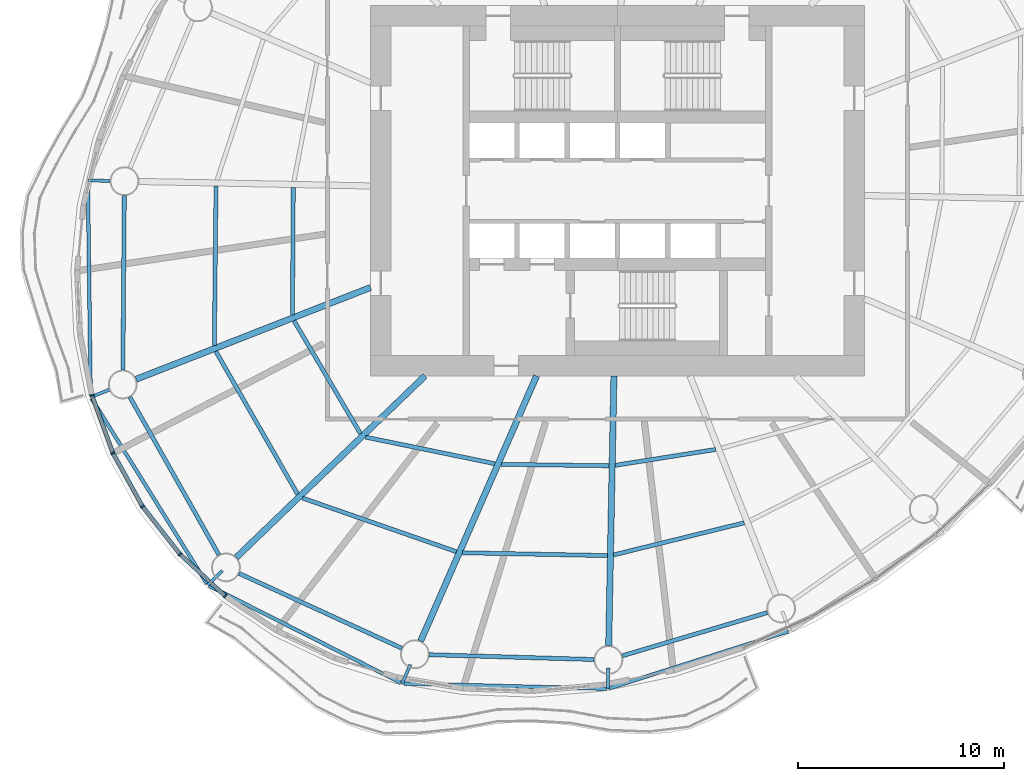
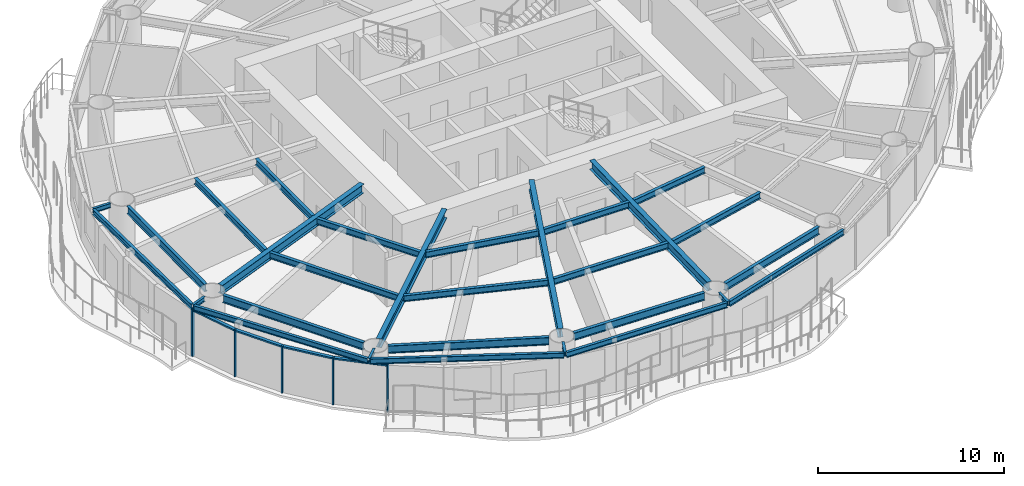
# One storey, part 2 of 15: 29 beams, 9 members, 4 elements without a shape of their own.
"""IFC4 building model written with IfcOpenShell, lengths in metres."""

from ifc_helpers import new_model, si_unit, direction, frame, origin, origin_2d, place, context, subcontext, project, spatial, rectangle, i_section, extrude, material, material_profile, profile_set, type_object, element, aggregate, save


model = new_model("IFC4")

# Units and contexts
model_context = context("Model", 3, precision=1e-05, world=origin(), true_north=direction((0.0, 1.0)))
body_context = subcontext(model_context, "Body", "Model", "MODEL_VIEW")
ifc_project = project(units=[si_unit("LENGTHUNIT", "METRE"), si_unit("AREAUNIT", "SQUARE_METRE"), si_unit("VOLUMEUNIT", "CUBIC_METRE"), si_unit("PLANEANGLEUNIT", "RADIAN"), si_unit("MASSUNIT", "GRAM", prefix="KILO")], contexts=[model_context])

# Site, building, storey
site_placement = place(None, origin())
site = spatial("IfcSite", under=ifc_project, at=site_placement, CompositionType="ELEMENT")
building_placement = place(site_placement, origin())
building = spatial("IfcBuilding", under=site, at=building_placement, Name="Vermilion Reach Broadcast Tower", CompositionType="ELEMENT")
storey_placement = place(building_placement, frame((0.0, 0.0, 168.60009765625)))
storey = spatial("IfcBuildingStorey", under=building, at=storey_placement, Name="L40", CompositionType="ELEMENT", Elevation=168.60009765625)

# Beams
ifc_material_1 = material(Name="Steel S355J2", Category="steel")
ifc_material_profile_1 = material_profile(ifc_material_1, i_section(OverallWidth=0.175048828125, OverallDepth=0.35009765625, WebThickness=0.007080078125, FlangeThickness=0.010986328125, at=origin_2d()), Name="S355J2 HN 350x175x7x11")
ifc_profile_set_1 = profile_set([ifc_material_profile_1], Name="Steel S355J2")
beam_type_1 = type_object("IfcBeamType", Name="EB3 HN 350x175x7x11", PredefinedType="BEAM", material=ifc_profile_set_1)
beam_1_placement = place(storey_placement, frame((-31.734375, 0.423583984375, 3.27490234375), z_axis=(0.012923258008, -0.999916491214, 0.0), x_axis=(0.999916491214, 0.012923258008, 0.0)))
element("IfcBeam", 1, at=beam_1_placement, inside=storey, type_object=beam_type_1, Name="Edge beam EB3-07", PredefinedType="BEAM", context=body_context, shape_type="SweptSolid", body=[
    extrude(i_section(OverallWidth=0.175048828125, OverallDepth=0.35009765625, WebThickness=0.007080078125, FlangeThickness=0.010986328125, at=origin_2d()), origin(), (0.0, 0.0, 1.0), 10.37158203125),
])
beam_2_placement = place(storey_placement, frame((-31.55908203125, -10.091796875, 3.27490234375), z_axis=(0.528731584226, -0.848789085605, 0.0), x_axis=(0.848789085605, 0.528731584226, 0.0)))
element("IfcBeam", 2, at=beam_2_placement, inside=storey, type_object=beam_type_1, Name="Edge beam EB3-08", PredefinedType="BEAM", context=body_context, shape_type="SweptSolid", body=[
    extrude(i_section(OverallWidth=0.175048828125, OverallDepth=0.35009765625, WebThickness=0.007080078125, FlangeThickness=0.010986328125, at=origin_2d()), origin(), (0.0, 0.0, 1.0), 10.602294921875),
])
beam_3_placement = place(storey_placement, frame((-25.842041015625, -19.19189453125, 3.27490234375), z_axis=(0.892066205673, -0.451904729669, 0.0), x_axis=(0.451904729669, 0.892066205673, 0.0)))
element("IfcBeam", 3, at=beam_3_placement, inside=storey, type_object=beam_type_1, Name="Edge beam EB3-09", PredefinedType="BEAM", context=body_context, shape_type="SweptSolid", body=[
    extrude(i_section(OverallWidth=0.175048828125, OverallDepth=0.35009765625, WebThickness=0.007080078125, FlangeThickness=0.010986328125, at=origin_2d()), origin(), (0.0, 0.0, 1.0), 10.4365234375),
])
beam_4_placement = place(storey_placement, frame((-16.384033203125, -23.944091796875, 3.27490234375), z_axis=(0.999667901538, -0.02576987842, 0.0), x_axis=(0.02576987842, 0.999667901538, 0.0)))
element("IfcBeam", 4, at=beam_4_placement, inside=storey, type_object=beam_type_1, Name="Edge beam EB3-10", PredefinedType="BEAM", context=body_context, shape_type="SweptSolid", body=[
    extrude(i_section(OverallWidth=0.175048828125, OverallDepth=0.35009765625, WebThickness=0.007080078125, FlangeThickness=0.010986328125, at=origin_2d()), origin(), (0.0, 0.0, 1.0), 9.84326171875),
])
beam_5_placement = place(storey_placement, frame((-6.393310546875, -24.17578125, 3.27490234375), z_axis=(0.952934912634, 0.303174953259, 0.0), x_axis=(-0.303174953259, 0.952934912634, 0.0)))
element("IfcBeam", 5, at=beam_5_placement, inside=storey, type_object=beam_type_1, Name="Edge beam EB3-11", PredefinedType="BEAM", context=body_context, shape_type="SweptSolid", body=[
    extrude(i_section(OverallWidth=0.175048828125, OverallDepth=0.35009765625, WebThickness=0.007080078125, FlangeThickness=0.010986328125, at=origin_2d()), origin(), (0.0, 0.0, 1.0), 9.1279296875),
])
ifc_material_2 = material(Name="Steel S355J2", Category="steel")
ifc_material_profile_2 = material_profile(ifc_material_2, i_section(OverallWidth=0.300048828125, OverallDepth=0.587890625, WebThickness=0.011962890625, FlangeThickness=0.02001953125, at=origin_2d()), Name="S355J2 HM 588x300x12x20")
ifc_profile_set_2 = profile_set([ifc_material_profile_2], Name="Steel S355J2")
beam_type_2 = type_object("IfcBeamType", Name="G3 HM 588x300x12x20", PredefinedType="BEAM", material=ifc_profile_set_2)
beam_6_placement = place(storey_placement, frame((-18.0, -4.700439453125, 3.156005859375), z_axis=(-0.931124635714, -0.364701128004, 0.0), x_axis=(0.364701128004, -0.931124635714, 0.0)))
element("IfcBeam", 6, at=beam_6_placement, inside=storey, type_object=beam_type_2, Name="Girder G3-08", PredefinedType="BEAM", context=body_context, shape_type="SweptSolid", body=[
    extrude(i_section(OverallWidth=0.300048828125, OverallDepth=0.587890625, WebThickness=0.011962890625, FlangeThickness=0.02001953125, at=origin_2d()), origin(), (0.0, 0.0, 1.0), 12.231201171875),
])
beam_7_placement = place(storey_placement, frame((-15.355712890625, -9.0, 3.156005859375), z_axis=(-0.720670374476, -0.693277874559, 0.0), x_axis=(0.693277874559, -0.720670374476, 0.0)))
element("IfcBeam", 7, at=beam_7_placement, inside=storey, type_object=beam_type_2, Name="Girder G3-09", PredefinedType="BEAM", context=body_context, shape_type="SweptSolid", body=[
    extrude(i_section(OverallWidth=0.300048828125, OverallDepth=0.587890625, WebThickness=0.011962890625, FlangeThickness=0.02001953125, at=origin_2d()), origin(), (0.0, 0.0, 1.0), 12.718505859375),
])
beam_8_placement = place(storey_placement, frame((-9.933837890625, -9.0, 3.156005859375), z_axis=(-0.400519113205, -0.916288404356, 0.0), x_axis=(0.916288404356, -0.400519113205, 0.0)))
element("IfcBeam", 8, at=beam_8_placement, inside=storey, type_object=beam_type_2, Name="Girder G3-10", PredefinedType="BEAM", context=body_context, shape_type="SweptSolid", body=[
    extrude(i_section(OverallWidth=0.300048828125, OverallDepth=0.587890625, WebThickness=0.011962890625, FlangeThickness=0.02001953125, at=origin_2d()), origin(), (0.0, 0.0, 1.0), 14.0595703125),
])
beam_9_placement = place(storey_placement, frame((-6.17431640625, -9.0, 3.156005859375), z_axis=(-0.019378372481, -0.99981222171, 0.0), x_axis=(0.99981222171, -0.019378372481, 0.0)))
element("IfcBeam", 9, at=beam_9_placement, inside=storey, type_object=beam_type_2, Name="Girder G3-11", PredefinedType="BEAM", context=body_context, shape_type="SweptSolid", body=[
    extrude(i_section(OverallWidth=0.300048828125, OverallDepth=0.587890625, WebThickness=0.011962890625, FlangeThickness=0.02001953125, at=origin_2d()), origin(), (0.0, 0.0, 1.0), 13.1025390625),
])
ifc_material_3 = material(Name="Steel S355J2", Category="steel")
ifc_material_profile_3 = material_profile(ifc_material_3, i_section(OverallWidth=0.14990234375, OverallDepth=0.300048828125, WebThickness=0.006591796875, FlangeThickness=0.009033203125, at=origin_2d()), Name="S355J2 HN 300x150x6.5x9")
ifc_profile_set_3 = profile_set([ifc_material_profile_3], Name="Steel S355J2")
beam_type_3 = type_object("IfcBeamType", Name="GS3 HN 300x150x6.5x9", PredefinedType="BEAM", material=ifc_profile_set_3)
beam_10_placement = place(storey_placement, frame((-30.659423828125, 0.477783203125, 3.2998046875), z_axis=(-0.999814048107, 0.019283910617, 0.0), x_axis=(-0.019283910617, -0.999814048107, 0.0)))
element("IfcBeam", 10, at=beam_10_placement, inside=storey, type_object=beam_type_3, Name="Cantilever stub GS3-07", PredefinedType="BEAM", context=body_context, shape_type="SweptSolid", body=[
    extrude(i_section(OverallWidth=0.14990234375, OverallDepth=0.300048828125, WebThickness=0.006591796875, FlangeThickness=0.009033203125, at=origin_2d()), origin(), (0.0, 0.0, 1.0), 1.076171875),
])
for number, where, z_axis, x_axis, name in (
    (11, (-30.668212890625, -9.662353515625, 3.2998046875), (-0.931113051526, -0.364730702407, 0.0), (0.364730702407, -0.931113051526, 0.0), "Cantilever stub GS3-08"),
    (12, (-25.192138671875, -18.462646484375, 3.2998046875), (-0.720767376164, -0.69317702606, 0.0), (0.69317702606, -0.720767376164, 0.0), "Cantilever stub GS3-09"),
    (13, (-16.064453125, -23.02587890625, 3.2998046875), (-0.400626718411, -0.916241361485, 0.0), (0.916241361485, -0.400626718411, 0.0), "Cantilever stub GS3-10"),
    (14, (-6.449462890625, -23.199951171875, 3.2998046875), (-0.019532292583, -0.999809226576, 0.0), (0.999809226576, -0.019532292583, 0.0), "Cantilever stub GS3-11"),
):
    element("IfcBeam", number, at=place(storey_placement, frame(where, z_axis=z_axis, x_axis=x_axis)), inside=storey, type_object=beam_type_3, Name=name, PredefinedType="BEAM", context=body_context, shape_type="SweptSolid", body=[
        extrude(i_section(OverallWidth=0.14990234375, OverallDepth=0.300048828125, WebThickness=0.006591796875, FlangeThickness=0.009033203125, at=origin_2d()), origin(), (0.0, 0.0, 1.0), 1.0),
    ])
ifc_material_4 = material(Name="Steel S355J2", Category="steel")
ifc_material_profile_4 = material_profile(ifc_material_4, i_section(OverallWidth=0.199951171875, OverallDepth=0.5, WebThickness=0.010009765625, FlangeThickness=0.01611328125, at=origin_2d()), Name="S355J2 HN 500x200x10x16")
ifc_profile_set_4 = profile_set([ifc_material_profile_4], Name="Steel S355J2")
beam_type_4 = type_object("IfcBeamType", Name="RB3 HN 500x200x10x16", PredefinedType="BEAM", material=ifc_profile_set_4)
beam_11_placement = place(storey_placement, frame((-29.965087890625, -0.23583984375, 3.199951171875), z_axis=(-0.008204232036, -0.999966344722, 0.0), x_axis=(0.999966344722, -0.008204232036, 0.0)))
element("IfcBeam", 15, at=beam_11_placement, inside=storey, type_object=beam_type_4, Name="Ring beam RB3-07", PredefinedType="BEAM", context=body_context, shape_type="SweptSolid", body=[
    extrude(i_section(OverallWidth=0.199951171875, OverallDepth=0.5, WebThickness=0.010009765625, FlangeThickness=0.01611328125, at=origin_2d()), origin(), (0.0, 0.0, 1.0), 8.48095703125),
])
beam_12_placement = place(storey_placement, frame((-29.696533203125, -10.026123046875, 3.199951171875), z_axis=(0.491466825026, -0.870896296869, 0.0), x_axis=(0.870896296869, 0.491466825026, 0.0)))
element("IfcBeam", 16, at=beam_12_placement, inside=storey, type_object=beam_type_4, Name="Ring beam RB3-08", PredefinedType="BEAM", context=body_context, shape_type="SweptSolid", body=[
    extrude(i_section(OverallWidth=0.199951171875, OverallDepth=0.5, WebThickness=0.010009765625, FlangeThickness=0.01611328125, at=origin_2d()), origin(), (0.0, 0.0, 1.0), 8.803466796875),
])
beam_13_placement = place(storey_placement, frame((-24.389892578125, -18.594970703125, 3.199951171875), z_axis=(0.908546241769, -0.417784306272, 0.0), x_axis=(0.417784306272, 0.908546241769, 0.0)))
element("IfcBeam", 17, at=beam_13_placement, inside=storey, type_object=beam_type_4, Name="Ring beam RB3-09", PredefinedType="BEAM", context=body_context, shape_type="SweptSolid", body=[
    extrude(i_section(OverallWidth=0.199951171875, OverallDepth=0.5, WebThickness=0.010009765625, FlangeThickness=0.01611328125, at=origin_2d()), origin(), (0.0, 0.0, 1.0), 8.704833984375),
])
beam_14_placement = place(storey_placement, frame((-15.1455078125, -22.544677734375, 3.199951171875), z_axis=(0.999569781146, -0.029330063427, 0.0), x_axis=(0.029330063427, 0.999569781146, 0.0)))
element("IfcBeam", 18, at=beam_14_placement, inside=storey, type_object=beam_type_4, Name="Ring beam RB3-10", PredefinedType="BEAM", context=body_context, shape_type="SweptSolid", body=[
    extrude(i_section(OverallWidth=0.199951171875, OverallDepth=0.5, WebThickness=0.010009765625, FlangeThickness=0.01611328125, at=origin_2d()), origin(), (0.0, 0.0, 1.0), 8.007568359375),
])
beam_15_placement = place(storey_placement, frame((-5.770751953125, -22.60009765625, 3.199951171875), z_axis=(0.958416970322, 0.285371531516, 0.0), x_axis=(-0.285371531516, 0.958416970322, 0.0)))
element("IfcBeam", 19, at=beam_15_placement, inside=storey, type_object=beam_type_4, Name="Ring beam RB3-11", PredefinedType="BEAM", context=body_context, shape_type="SweptSolid", body=[
    extrude(i_section(OverallWidth=0.199951171875, OverallDepth=0.5, WebThickness=0.010009765625, FlangeThickness=0.01611328125, at=origin_2d()), origin(), (0.0, 0.0, 1.0), 7.357421875),
])
ifc_material_5 = material(Name="Steel S355J2", Category="steel")
ifc_material_profile_5 = material_profile(ifc_material_5, i_section(OverallWidth=0.199951171875, OverallDepth=0.39990234375, WebThickness=0.008056640625, FlangeThickness=0.012939453125, at=origin_2d()), Name="S355J2 HN 400x200x8x13")
ifc_profile_set_5 = profile_set([ifc_material_profile_5], Name="Steel S355J2")
beam_type_5 = type_object("IfcBeamType", Name="SB3 HN 400x200x8x13", PredefinedType="BEAM", material=ifc_profile_set_5)
beam_16_placement = place(storey_placement, frame((-21.754150390625, 0.1552734375, 3.25), z_axis=(-0.006635449147, -0.999977985165, 0.0), x_axis=(0.999977985165, -0.006635449147, 0.0)))
element("IfcBeam", 20, at=beam_16_placement, inside=storey, type_object=beam_type_5, Name="Secondary beam SB3-07-1", PredefinedType="BEAM", context=body_context, shape_type="SweptSolid", body=[
    extrude(i_section(OverallWidth=0.199951171875, OverallDepth=0.39990234375, WebThickness=0.008056640625, FlangeThickness=0.012939453125, at=origin_2d()), origin(), (0.0, 0.0, 1.0), 6.181396484375),
])
beam_17_placement = place(storey_placement, frame((-25.508056640625, 0.22802734375, 3.25), z_axis=(-0.010691708672, -0.999942842049, 0.0), x_axis=(0.999942842049, -0.010691708672, 0.0)))
element("IfcBeam", 21, at=beam_17_placement, inside=storey, type_object=beam_type_5, Name="Secondary beam SB3-07-2", PredefinedType="BEAM", context=body_context, shape_type="SweptSolid", body=[
    extrude(i_section(OverallWidth=0.199951171875, OverallDepth=0.39990234375, WebThickness=0.008056640625, FlangeThickness=0.012939453125, at=origin_2d()), origin(), (0.0, 0.0, 1.0), 7.740966796875),
])
beam_18_placement = place(storey_placement, frame((-21.71923828125, -6.318115234375, 3.25), z_axis=(0.507249643612, -0.861799163991, 0.0), x_axis=(0.861799163991, 0.507249643612, 0.0)))
element("IfcBeam", 22, at=beam_18_placement, inside=storey, type_object=beam_type_5, Name="Secondary beam SB3-08-1", PredefinedType="BEAM", context=body_context, shape_type="SweptSolid", body=[
    extrude(i_section(OverallWidth=0.199951171875, OverallDepth=0.39990234375, WebThickness=0.008056640625, FlangeThickness=0.012939453125, at=origin_2d()), origin(), (0.0, 0.0, 1.0), 6.3681640625),
])
beam_19_placement = place(storey_placement, frame((-25.51708984375, -7.805908203125, 3.25), z_axis=(0.497026503115, -0.867735360119, 0.0), x_axis=(0.867735360119, 0.497026503115, 0.0)))
element("IfcBeam", 23, at=beam_19_placement, inside=storey, type_object=beam_type_5, Name="Secondary beam SB3-08-2", PredefinedType="BEAM", context=body_context, shape_type="SweptSolid", body=[
    extrude(i_section(OverallWidth=0.199951171875, OverallDepth=0.39990234375, WebThickness=0.008056640625, FlangeThickness=0.012939453125, at=origin_2d()), origin(), (0.0, 0.0, 1.0), 7.995849609375),
])
beam_20_placement = place(storey_placement, frame((-18.232666015625, -11.975830078125, 3.25), z_axis=(0.97956765607, -0.201114910391, 0.0), x_axis=(0.201114910391, 0.97956765607, 0.0)))
element("IfcBeam", 24, at=beam_20_placement, inside=storey, type_object=beam_type_5, Name="Secondary beam SB3-09-1", PredefinedType="BEAM", context=body_context, shape_type="SweptSolid", body=[
    extrude(i_section(OverallWidth=0.199951171875, OverallDepth=0.39990234375, WebThickness=0.008056640625, FlangeThickness=0.012939453125, at=origin_2d()), origin(), (0.0, 0.0, 1.0), 6.40234375),
])
beam_21_placement = place(storey_placement, frame((-21.307373046875, -14.93359375, 3.25), z_axis=(0.94431696779, -0.329037177754, 0.0), x_axis=(0.329037177754, 0.94431696779, 0.0)))
element("IfcBeam", 25, at=beam_21_placement, inside=storey, type_object=beam_type_5, Name="Secondary beam SB3-09-2", PredefinedType="BEAM", context=body_context, shape_type="SweptSolid", body=[
    extrude(i_section(OverallWidth=0.199951171875, OverallDepth=0.39990234375, WebThickness=0.008056640625, FlangeThickness=0.012939453125, at=origin_2d()), origin(), (0.0, 0.0, 1.0), 7.91845703125),
])
beam_22_placement = place(storey_placement, frame((-11.648193359375, -13.29638671875, 3.25), z_axis=(0.999914891843, -0.013046419838, 0.0), x_axis=(0.013046419838, 0.999914891843, 0.0)))
element("IfcBeam", 26, at=beam_22_placement, inside=storey, type_object=beam_type_5, Name="Secondary beam SB3-10-1", PredefinedType="BEAM", context=body_context, shape_type="SweptSolid", body=[
    extrude(i_section(OverallWidth=0.199951171875, OverallDepth=0.39990234375, WebThickness=0.008056640625, FlangeThickness=0.012939453125, at=origin_2d()), origin(), (0.0, 0.0, 1.0), 5.23974609375),
])
beam_23_placement = place(storey_placement, frame((-13.525634765625, -17.591552734375, 3.25), z_axis=(0.999804929321, -0.019751033045, 0.0), x_axis=(0.019751033045, 0.999804929321, 0.0)))
element("IfcBeam", 27, at=beam_23_placement, inside=storey, type_object=beam_type_5, Name="Secondary beam SB3-10-2", PredefinedType="BEAM", context=body_context, shape_type="SweptSolid", body=[
    extrude(i_section(OverallWidth=0.199951171875, OverallDepth=0.39990234375, WebThickness=0.008056640625, FlangeThickness=0.012939453125, at=origin_2d()), origin(), (0.0, 0.0, 1.0), 7.033447265625),
])
beam_24_placement = place(storey_placement, frame((-6.1083984375, -13.343017578125, 3.25), z_axis=(0.987756142208, 0.15600578044, 0.0), x_axis=(-0.15600578044, 0.987756142208, 0.0)))
element("IfcBeam", 28, at=beam_24_placement, inside=storey, type_object=beam_type_5, Name="Secondary beam SB3-11-1", PredefinedType="BEAM", context=body_context, shape_type="SweptSolid", body=[
    extrude(i_section(OverallWidth=0.199951171875, OverallDepth=0.39990234375, WebThickness=0.008056640625, FlangeThickness=0.012939453125, at=origin_2d()), origin(), (0.0, 0.0, 1.0), 4.9326171875),
])
beam_25_placement = place(storey_placement, frame((-6.19287109375, -17.6962890625, 3.25), z_axis=(0.971111691931, 0.238625400566, 0.0), x_axis=(-0.238625400566, 0.971111691931, 0.0)))
element("IfcBeam", 29, at=beam_25_placement, inside=storey, type_object=beam_type_5, Name="Secondary beam SB3-11-2", PredefinedType="BEAM", context=body_context, shape_type="SweptSolid", body=[
    extrude(i_section(OverallWidth=0.199951171875, OverallDepth=0.39990234375, WebThickness=0.008056640625, FlangeThickness=0.012939453125, at=origin_2d()), origin(), (0.0, 0.0, 1.0), 6.540771484375),
])

# Curtain wall, member
ifc_material_6 = material(Name="Low-e laminated clear glass in aluminium frame", Category="aluminium")
curtain_wall_type = type_object("IfcCurtainWallType", Name="Slot curtain wall", PredefinedType="NOTDEFINED", material=ifc_material_6)
placement = place(storey_placement, origin())
curtain_wall_1 = element("IfcCurtainWall", 30, at=placement, inside=storey, type_object=curtain_wall_type, Name="Slot curtain wall L40 22", PredefinedType="NOTDEFINED")
ifc_material_7 = material(Name="Anodised aluminium", Category="aluminium")
ifc_material_profile_6 = material_profile(ifc_material_7, rectangle(XDim=0.199951171875, YDim=0.080078125, at=origin_2d()), Name="Slot mullion 80 x 200")
ifc_profile_set_6 = profile_set([ifc_material_profile_6], Name="Anodised aluminium")
member_type_1 = type_object("IfcMemberType", Name="Slot mullion 80 x 200", PredefinedType="MULLION", material=ifc_profile_set_6)
member_1_placement = place(storey_placement, frame((-31.537841796875, -9.94580078125, 0.0), z_axis=(0.0, 0.0, 1.0), x_axis=(0.963506455469, 0.267685095345, 0.0)))
member_1 = element("IfcMember", 31, at=member_1_placement, type_object=member_type_1, Name="Slot mullion L40 22", PredefinedType="MULLION", context=body_context, shape_type="SweptSolid", body=[
    extrude(rectangle(XDim=0.199951171875, YDim=0.080078125, at=origin_2d()), origin(), (0.0, 0.0, 1.0), 3.099853515625),
])

curtain_wall_2 = element("IfcCurtainWall", 32, at=placement, inside=storey, type_object=curtain_wall_type, Name="Slot curtain wall L40 23", PredefinedType="NOTDEFINED")
member_2_placement = place(storey_placement, frame((-30.51953125, -12.75048828125, 0.0), z_axis=(0.0, 0.0, 1.0), x_axis=(0.910025536198, 0.414552196312, 0.0)))
member_2 = element("IfcMember", 33, at=member_2_placement, type_object=member_type_1, Name="Slot mullion L40 23", PredefinedType="MULLION", context=body_context, shape_type="SweptSolid", body=[
    extrude(rectangle(XDim=0.199951171875, YDim=0.080078125, at=origin_2d()), origin(), (0.0, 0.0, 1.0), 3.099853515625),
])

curtain_wall_3 = element("IfcCurtainWall", 34, at=placement, inside=storey, type_object=curtain_wall_type, Name="Slot curtain wall L40 24", PredefinedType="NOTDEFINED")
member_3_placement = place(storey_placement, frame((-29.084228515625, -15.337158203125, 0.0), z_axis=(0.0, 0.0, 1.0), x_axis=(0.832921296546, 0.553391465204, 0.0)))
member_3 = element("IfcMember", 35, at=member_3_placement, type_object=member_type_1, Name="Slot mullion L40 24", PredefinedType="MULLION", context=body_context, shape_type="SweptSolid", body=[
    extrude(rectangle(XDim=0.199951171875, YDim=0.080078125, at=origin_2d()), origin(), (0.0, 0.0, 1.0), 3.099853515625),
])

# Curtain wall, members
curtain_wall_4 = element("IfcCurtainWall", 36, at=placement, inside=storey, type_object=curtain_wall_type, Name="Slot curtain wall L40 25", PredefinedType="NOTDEFINED")
member_4_placement = place(storey_placement, frame((-27.255859375, -17.66259765625, 0.0), z_axis=(0.0, 0.0, 1.0), x_axis=(0.734809496988, 0.678273545951, 0.0)))
member_4 = element("IfcMember", 37, at=member_4_placement, type_object=member_type_1, Name="Slot mullion L40 25", PredefinedType="MULLION", context=body_context, shape_type="SweptSolid", body=[
    extrude(rectangle(XDim=0.199951171875, YDim=0.080078125, at=origin_2d()), origin(), (0.0, 0.0, 1.0), 3.099853515625),
])
member_5_placement = place(storey_placement, frame((-25.06494140625, -19.688232421875, 0.0), z_axis=(0.0, 0.0, 1.0), x_axis=(0.620142677348, 0.78448904373, 0.0)))
member_5 = element("IfcMember", 38, at=member_5_placement, type_object=member_type_1, Name="Slot mullion L40 26", PredefinedType="MULLION", context=body_context, shape_type="SweptSolid", body=[
    extrude(rectangle(XDim=0.199951171875, YDim=0.080078125, at=origin_2d()), origin(), (0.0, 0.0, 1.0), 3.099853515625),
])

# Member
ifc_material_8 = material(Name="Anodised aluminium", Category="aluminium")
ifc_material_profile_7 = material_profile(ifc_material_8, rectangle(XDim=0.199951171875, YDim=0.10009765625, at=origin_2d()), Name="Slot transom 200 x 100")
ifc_profile_set_7 = profile_set([ifc_material_profile_7], Name="Anodised aluminium")
member_type_2 = type_object("IfcMemberType", Name="Slot transom 200 x 100", PredefinedType="USERDEFINED", material=ifc_profile_set_7)
member_6_placement = place(storey_placement, frame((-31.524169921875, -9.9833984375, 3.0498046875), z_axis=(0.34126372514, -0.939967589816, 0.0), x_axis=(0.939967589816, 0.34126372514, 0.0)))
member_6 = element("IfcMember", 39, at=member_6_placement, type_object=member_type_2, Name="Slot transom L40 22.1", ObjectType="TRANSOM", PredefinedType="USERDEFINED", context=body_context, shape_type="SweptSolid", body=[
    extrude(rectangle(XDim=0.199951171875, YDim=0.10009765625, at=origin_2d()), origin(), (0.0, 0.0, 1.0), 2.90380859375),
])

aggregate(curtain_wall_1, [member_1, member_6])

member_7_placement = place(storey_placement, frame((-30.500244140625, -12.785400390625, 3.0498046875), z_axis=(0.48527558629, -0.874361255633, 0.0), x_axis=(0.874361255633, 0.48527558629, 0.0)))
member_7 = element("IfcMember", 40, at=member_7_placement, type_object=member_type_2, Name="Slot transom L40 23.1", ObjectType="TRANSOM", PredefinedType="USERDEFINED", context=body_context, shape_type="SweptSolid", body=[
    extrude(rectangle(XDim=0.199951171875, YDim=0.10009765625, at=origin_2d()), origin(), (0.0, 0.0, 1.0), 2.878173828125),
])

aggregate(curtain_wall_2, [member_2, member_7])

member_8_placement = place(storey_placement, frame((-29.059326171875, -15.368408203125, 3.0498046875), z_axis=(0.617990105156, -0.786185874923, 0.0), x_axis=(0.786185874923, 0.617990105156, 0.0)))
member_8 = element("IfcMember", 41, at=member_8_placement, type_object=member_type_2, Name="Slot transom L40 24.1", ObjectType="TRANSOM", PredefinedType="USERDEFINED", context=body_context, shape_type="SweptSolid", body=[
    extrude(rectangle(XDim=0.199951171875, YDim=0.10009765625, at=origin_2d()), origin(), (0.0, 0.0, 1.0), 2.87841796875),
])

aggregate(curtain_wall_3, [member_3, member_8])

member_9_placement = place(storey_placement, frame((-27.2265625, -17.68994140625, 3.0498046875), z_axis=(0.734268114419, -0.678859585001, 0.0), x_axis=(0.678859585001, 0.734268114419, 0.0)))
member_9 = element("IfcMember", 42, at=member_9_placement, type_object=member_type_2, Name="Slot transom L40 25.1", ObjectType="TRANSOM", PredefinedType="USERDEFINED", context=body_context, shape_type="SweptSolid", body=[
    extrude(rectangle(XDim=0.199951171875, YDim=0.10009765625, at=origin_2d()), origin(), (0.0, 0.0, 1.0), 2.903564453125),
])

aggregate(curtain_wall_4, [member_4, member_5, member_9])

save(model, "model.ifc")
